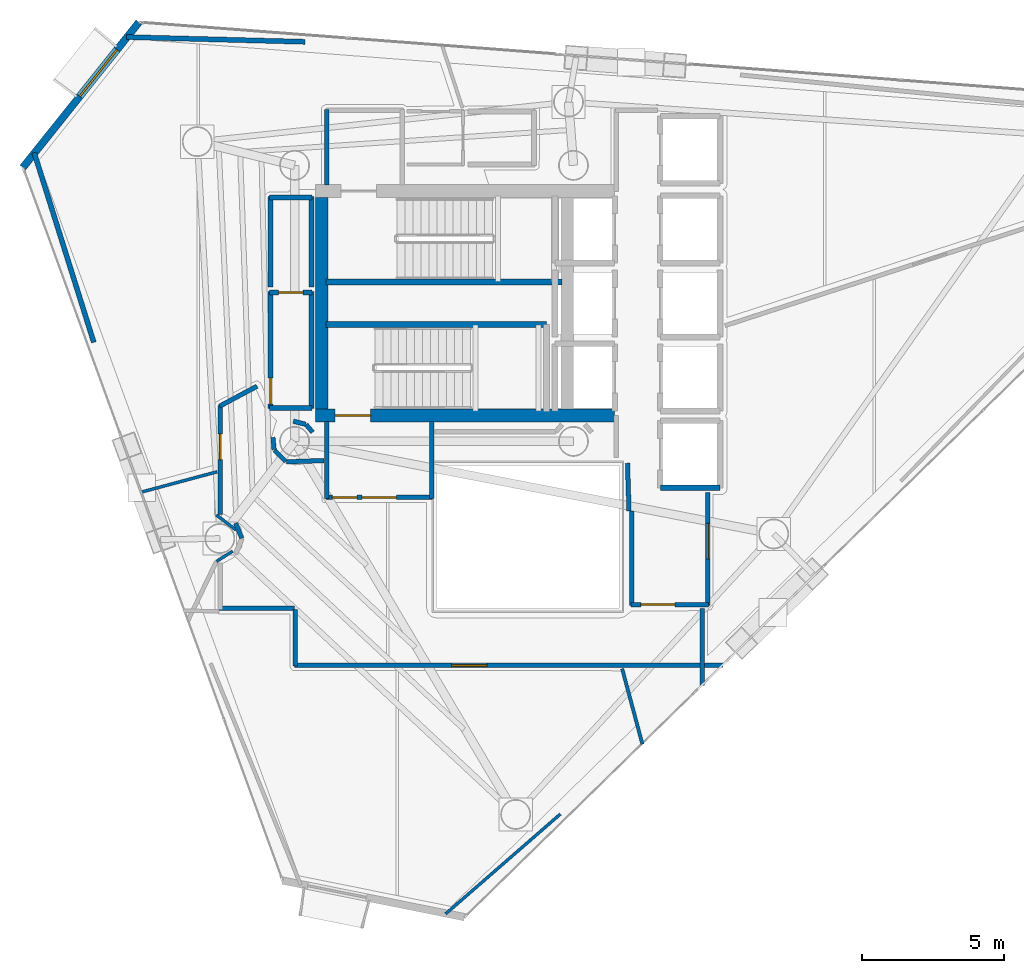
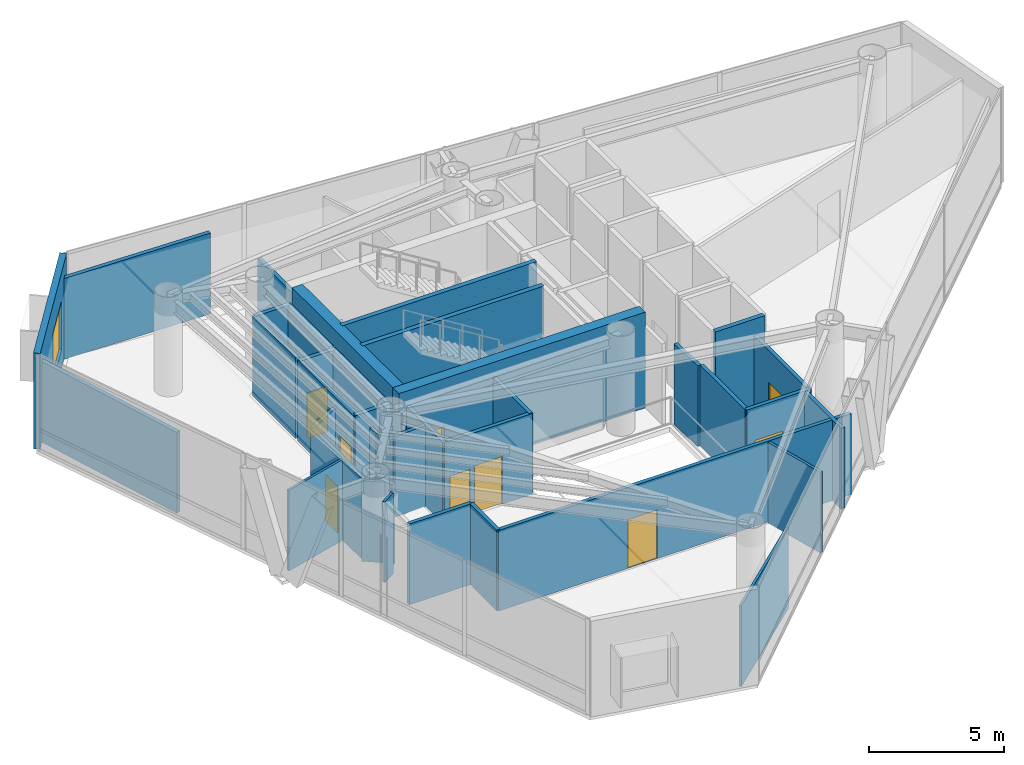
# One storey, part 17 of 21: 40 walls, 9 doors, 1 window, 10 openings.
"""IFC4 building model written with IfcOpenShell, lengths in metres."""

from ifc_helpers import new_model, si_unit, direction, frame, frame_2d, origin, place, context, subcontext, project, spatial, rectangle, extrude, material, layer, layer_set, type_object, element, fill, save


model = new_model("IFC4")

# Units and contexts
model_context = context("Model", 3, precision=1e-05, world=origin(), true_north=direction((0.0, 1.0)))
body_context = subcontext(model_context, "Body", "Model", "MODEL_VIEW")
ifc_project = project(units=[si_unit("LENGTHUNIT", "METRE"), si_unit("AREAUNIT", "SQUARE_METRE"), si_unit("VOLUMEUNIT", "CUBIC_METRE"), si_unit("PLANEANGLEUNIT", "RADIAN"), si_unit("MASSUNIT", "GRAM", prefix="KILO")], contexts=[model_context])

# Site, building, storey
site_placement = place(None, origin())
site = spatial("IfcSite", under=ifc_project, at=site_placement, CompositionType="ELEMENT")
building_placement = place(site_placement, origin())
building = spatial("IfcBuilding", under=site, at=building_placement, Name="Qianvela Tower", CompositionType="ELEMENT")
storey_placement = place(building_placement, frame((0.0, 0.0, 234.5)))
storey = spatial("IfcBuildingStorey", under=building, at=storey_placement, Name="L60", CompositionType="ELEMENT", Elevation=234.5)

# Wall, opening, window
ifc_material_1 = material(Name="Terracotta Cladding on Concrete C40", Category="masonry")
ifc_layer_1 = layer(ifc_material_1, 0.260009765625)
ifc_layer_set_1 = layer_set([ifc_layer_1], Name="Terracotta Cladding on Concrete C40")
wall_type_1 = type_object("IfcWallType", Name="TERRACOTTA-WALL-260", PredefinedType="SOLIDWALL", material=ifc_layer_set_1)
wall_1_placement = place(storey_placement, frame((23.12744140625, 38.576416015625, 0.0), z_axis=(0.0, 0.0, 1.0), x_axis=(-0.624042741738, -0.781390207568, 0.0)))
wall_1 = element("IfcWall", 1, at=wall_1_placement, inside=storey, type_object=wall_type_1, Name="L60 Terracotta Chamfer Facet Wall 3", PredefinedType="SOLIDWALL", context=body_context, shape_type="SweptSolid", body=[
    extrude(rectangle(XDim=6.529052734375, YDim=0.260009765625, at=frame_2d((3.2646484375, 0.0))), origin(), (0.0, 0.0, 1.0), 4.320068359375),
])
opening_1_placement = place(wall_1_placement, frame((1.228759765625, 0.0, 0.85009765625)))
opening_1 = element("IfcOpeningElement", 2, at=opening_1_placement, cuts=wall_1, Name="Opening W-04", PredefinedType="OPENING", context=body_context, shape_type="SweptSolid", body=[
    extrude(rectangle(XDim=2.10009765625, YDim=2.199951171875, at=frame_2d((1.050048828125, 1.10009765625))), frame((0.0, 0.139892578125, 0.0), z_axis=(0.0, -1.0, 0.0), x_axis=(1.0, 0.0, 0.0)), (0.0, 0.0, 1.0), 0.280029296875),
])
ifc_material_2 = material(Name="Thermally Broken Aluminium and Low-E Glass", Category="aluminium")
window_type = type_object("IfcWindowType", Name="WIN-TC-2100x2200", PartitioningType="TRIPLE_PANEL_VERTICAL", PredefinedType="WINDOW", material=ifc_material_2)
window_placement = place(opening_1_placement, origin())
window = element("IfcWindow", 3, at=window_placement, inside=storey, type_object=window_type, Name="L60 Chamfer Facet Window 3.1", OverallHeight=2.199951171875, OverallWidth=2.10009765625, PartitioningType="SINGLE_PANEL", PredefinedType="WINDOW", context=body_context, shape_type="SweptSolid", body=[
    extrude(rectangle(XDim=2.10009765625, YDim=2.199951171875, at=frame_2d((1.050048828125, 1.10009765625))), frame((0.0, 0.030029296875, 0.0), z_axis=(0.0, -1.0, 0.0), x_axis=(1.0, 0.0, 0.0)), (0.0, 0.0, 1.0), 0.06005859375),
])
fill(opening_1, window)

# Wall, opening, door
ifc_material_3 = material(Name="Concrete C50", Category="concrete")
ifc_layer_2 = layer(ifc_material_3, 0.449951171875)
ifc_layer_set_2 = layer_set([ifc_layer_2], Name="Concrete C50")
wall_type_2 = type_object("IfcWallType", Name="WT-CORE-450", PredefinedType="SHEAR", material=ifc_layer_set_2)
wall_2_placement = place(storey_placement, frame((29.330078125, 24.7548828125, 0.0), z_axis=(0.0, 0.0, 1.0), x_axis=(1.0, 0.0, 0.0)))
wall_2 = element("IfcWall", 4, at=wall_2_placement, inside=storey, type_object=wall_type_2, Name="L60 South Core Shear Wall", PredefinedType="SHEAR", context=body_context, shape_type="SweptSolid", body=[
    extrude(rectangle(XDim=10.52001953125, YDim=0.449951171875, at=frame_2d((5.260009765625, 0.0))), origin(), (0.0, 0.0, 1.0), 4.320068359375),
])
opening_2_placement = place(wall_2_placement, frame((0.695068359375, 0.0, 0.0)))
opening_2 = element("IfcOpeningElement", 5, at=opening_2_placement, cuts=wall_2, Name="Opening D-ST1", PredefinedType="OPENING", context=body_context, shape_type="SweptSolid", body=[
    extrude(rectangle(XDim=1.25, YDim=2.14990234375, at=frame_2d((0.625, 1.074951171875))), frame((0.0, 0.23486328125, 0.0), z_axis=(0.0, -1.0, 0.0), x_axis=(1.0, 0.0, 0.0)), (0.0, 0.0, 1.0), 0.469970703125),
])
ifc_material_4 = material(Name="Galvanised Fire Steel Q355B", Category="steel")
door_type_1 = type_object("IfcDoorType", Name="DT-STAIR-FD90", OperationType="NOTDEFINED", PredefinedType="DOOR", material=ifc_material_4)
door_1_placement = place(opening_2_placement, origin())
door_1 = element("IfcDoor", 6, at=door_1_placement, inside=storey, type_object=door_type_1, Name="L60 Stair ST-2 Exit Door", OperationType="SINGLE_SWING_RIGHT", OverallHeight=2.14990234375, OverallWidth=1.25, PredefinedType="DOOR", context=body_context, shape_type="SweptSolid", body=[
    extrude(rectangle(XDim=1.25, YDim=2.14990234375, at=frame_2d((0.625, 1.074951171875))), frame((0.0, 0.02490234375, 0.0), z_axis=(0.0, -1.0, 0.0), x_axis=(1.0, 0.0, 0.0)), (0.0, 0.0, 1.0), 0.050048828125),
])
fill(opening_2, door_1)

# Walls
wall_3_placement = place(storey_placement, frame((29.554931640625, 24.97998046875, 0.0), z_axis=(0.0, 0.0, 1.0), x_axis=(0.0, 1.0, 0.0)))
element("IfcWall", 7, at=wall_3_placement, inside=storey, type_object=wall_type_2, Name="L60 West Core Shear Wall", PredefinedType="SHEAR", context=body_context, shape_type="SweptSolid", body=[
    extrude(rectangle(XDim=7.43994140625, YDim=0.449951171875, at=frame_2d((3.719970703125, 0.0))), origin(), (0.0, 0.0, 1.0), 4.320068359375),
])
ifc_material_5 = material(Name="Fire-Rated Gypsum and Concrete Block", Category="concrete")
ifc_layer_3 = layer(ifc_material_5, 0.159912109375)
ifc_layer_set_3 = layer_set([ifc_layer_3], Name="Fire-Rated Gypsum and Concrete Block")
wall_type_3 = type_object("IfcWallType", Name="WT-CORR-160", PredefinedType="PARTITIONING", material=ifc_layer_set_3)
wall_4_placement = place(storey_placement, frame((29.73095703125, 32.85791015625, 0.0), z_axis=(0.0, 0.0, 1.0), x_axis=(0.0, 1.0, 0.0)))
element("IfcWall", 8, at=wall_4_placement, inside=storey, type_object=wall_type_3, Name="L60 Partition 2", PredefinedType="PARTITIONING", context=body_context, shape_type="SweptSolid", body=[
    extrude(rectangle(XDim=2.662109375, YDim=0.159912109375, at=frame_2d((1.3310546875, 0.0))), origin(), (0.0, 0.0, 1.0), 3.639892578125),
])

# Wall, openings, doors
wall_5_placement = place(storey_placement, frame((33.449951171875, 21.881103515625, 0.0), z_axis=(0.0, 0.0, 1.0), x_axis=(-1.0, 0.0, 0.0)))
wall_5 = element("IfcWall", 9, at=wall_5_placement, inside=storey, type_object=wall_type_3, Name="L60 Partition 5", PredefinedType="PARTITIONING", context=body_context, shape_type="SweptSolid", body=[
    extrude(rectangle(XDim=3.75, YDim=0.159912109375, at=frame_2d((1.875, 0.0))), origin(), (0.0, 0.0, 1.0), 3.639892578125),
])
opening_3_placement = place(wall_5_placement, frame((1.27490234375, 0.0, 0.0)))
opening_3 = element("IfcOpeningElement", 10, at=opening_3_placement, cuts=wall_5, Name="Opening D-LB1", PredefinedType="OPENING", context=body_context, shape_type="SweptSolid", body=[
    extrude(rectangle(XDim=1.199951171875, YDim=2.14990234375, at=frame_2d((0.60009765625, 1.074951171875))), frame((0.0, 0.08984375, 0.0), z_axis=(0.0, -1.0, 0.0), x_axis=(1.0, 0.0, 0.0)), (0.0, 0.0, 1.0), 0.179931640625),
])
opening_4_placement = place(wall_5_placement, frame((2.659912109375, 0.0, 0.0)))
opening_4 = element("IfcOpeningElement", 11, at=opening_4_placement, cuts=wall_5, Name="Opening D-LB2", PredefinedType="OPENING", context=body_context, shape_type="SweptSolid", body=[
    extrude(rectangle(XDim=0.860107421875, YDim=2.050048828125, at=frame_2d((0.43017578125, 1.02490234375))), frame((0.0, 0.08984375, 0.0), z_axis=(0.0, -1.0, 0.0), x_axis=(1.0, 0.0, 0.0)), (0.0, 0.0, 1.0), 0.179931640625),
])
ifc_material_6 = material(Name="Glazed Fire-Rated Steel Frame", Category="steel")
door_type_2 = type_object("IfcDoorType", Name="DT-LOBBY-FD90", OperationType="NOTDEFINED", PredefinedType="DOOR", material=ifc_material_6)
door_2_placement = place(opening_3_placement, origin())
door_2 = element("IfcDoor", 12, at=door_2_placement, inside=storey, type_object=door_type_2, Name="L60 Door L60 Firefighting Lobby South to L60 Sky Lobby Gallery Corridor", OperationType="SINGLE_SWING_RIGHT", OverallHeight=2.14990234375, OverallWidth=1.199951171875, PredefinedType="DOOR", context=body_context, shape_type="SweptSolid", body=[
    extrude(rectangle(XDim=1.199951171875, YDim=2.14990234375, at=frame_2d((0.60009765625, 1.074951171875))), frame((0.0, 0.02490234375, 0.0), z_axis=(0.0, -1.0, 0.0), x_axis=(1.0, 0.0, 0.0)), (0.0, 0.0, 1.0), 0.050048828125),
])
fill(opening_3, door_2)
ifc_material_7 = material(Name="Insulated Steel Fire Door Q355B", Category="steel")
door_type_3 = type_object("IfcDoorType", Name="DT-LOBBY-FD90-860", OperationType="NOTDEFINED", PredefinedType="DOOR", material=ifc_material_7)
door_3_placement = place(opening_4_placement, origin())
door_3 = element("IfcDoor", 13, at=door_3_placement, inside=storey, type_object=door_type_3, Name="L60 Door L60 Firefighting Lobby South to L60 Sky Lobby Gallery Corridor", OperationType="SINGLE_SWING_RIGHT", OverallHeight=2.050048828125, OverallWidth=0.860107421875, PredefinedType="DOOR", context=body_context, shape_type="SweptSolid", body=[
    extrude(rectangle(XDim=0.860107421875, YDim=2.050048828125, at=frame_2d((0.43017578125, 1.02490234375))), frame((0.0, 0.02490234375, 0.0), z_axis=(0.0, -1.0, 0.0), x_axis=(1.0, 0.0, 0.0)), (0.0, 0.0, 1.0), 0.050048828125),
])
fill(opening_4, door_3)

# Walls
for number, where, z_axis, x_axis, name in (
    (14, (29.73095703125, 21.85009765625, 0.0), (0.0, 0.0, 1.0), (0.0, 1.0, 0.0), "L60 Partition 6"),
    (15, (33.4189453125, 24.5419921875, 0.0), (0.0, 0.0, 1.0), (0.0, -1.0, 0.0), "L60 Partition 8"),
):
    element("IfcWall", number, at=place(storey_placement, frame(where, z_axis=z_axis, x_axis=x_axis)), inside=storey, type_object=wall_type_3, Name=name, PredefinedType="PARTITIONING", context=body_context, shape_type="SweptSolid", body=[
        extrude(rectangle(XDim=2.69189453125, YDim=0.159912109375, at=frame_2d((1.345947265625, 0.0))), origin(), (0.0, 0.0, 1.0), 3.639892578125),
    ])
wall_6_placement = place(storey_placement, frame((40.35107421875, 21.40087890625, 0.0), z_axis=(0.0, 0.0, 1.0), x_axis=(-0.031058045979, 0.999517582527, 0.0)))
element("IfcWall", 16, at=wall_6_placement, inside=storey, type_object=wall_type_3, Name="L60 Partition 9", PredefinedType="PARTITIONING", context=body_context, shape_type="SweptSolid", body=[
    extrude(rectangle(XDim=1.68212890625, YDim=0.159912109375, at=frame_2d((0.841064453125, 0.0))), origin(), (0.0, 0.0, 1.0), 3.639892578125),
])

# Wall, opening, door
wall_7_placement = place(storey_placement, frame((43.118896484375, 22.050048828125, 0.0), z_axis=(0.0, 0.0, 1.0), x_axis=(0.0, -1.0, 0.0)))
wall_7 = element("IfcWall", 17, at=wall_7_placement, inside=storey, type_object=wall_type_3, Name="L60 Partition 16", PredefinedType="PARTITIONING", context=body_context, shape_type="SweptSolid", body=[
    extrude(rectangle(XDim=3.969970703125, YDim=0.159912109375, at=frame_2d((1.98486328125, 0.0))), origin(), (0.0, 0.0, 1.0), 3.639892578125),
])
opening_5_placement = place(wall_7_placement, frame((1.080078125, 0.0, 0.0)))
opening_5 = element("IfcOpeningElement", 18, at=opening_5_placement, cuts=wall_7, Name="Opening D-LG1", PredefinedType="OPENING", context=body_context, shape_type="SweptSolid", body=[
    extrude(rectangle(XDim=1.25, YDim=2.199951171875, at=frame_2d((0.625, 1.10009765625))), frame((0.0, 0.08984375, 0.0), z_axis=(0.0, -1.0, 0.0), x_axis=(1.0, 0.0, 0.0)), (0.0, 0.0, 1.0), 0.179931640625),
])
ifc_material_8 = material(Name="Anodised Aluminium Acoustic Glass Door", Category="aluminium")
door_type_4 = type_object("IfcDoorType", Name="DT-LOUNGE-1250", OperationType="NOTDEFINED", PredefinedType="DOOR", material=ifc_material_8)
door_4_placement = place(opening_5_placement, origin())
door_4 = element("IfcDoor", 19, at=door_4_placement, inside=storey, type_object=door_type_4, Name="L60 Door L60 Sky Transfer Reception to L60 Lift Lobby", OperationType="SINGLE_SWING_RIGHT", OverallHeight=2.199951171875, OverallWidth=1.25, PredefinedType="DOOR", context=body_context, shape_type="SweptSolid", body=[
    extrude(rectangle(XDim=1.25, YDim=2.199951171875, at=frame_2d((0.625, 1.10009765625))), frame((0.0, 0.02490234375, 0.0), z_axis=(0.0, -1.0, 0.0), x_axis=(1.0, 0.0, 0.0)), (0.0, 0.0, 1.0), 0.050048828125),
])
fill(opening_5, door_4)

wall_8_placement = place(storey_placement, frame((43.14990234375, 18.111083984375, 0.0), z_axis=(0.0, 0.0, 1.0), x_axis=(-1.0, 0.0, 0.0)))
wall_8 = element("IfcWall", 20, at=wall_8_placement, inside=storey, type_object=wall_type_3, Name="L60 Partition 17", PredefinedType="PARTITIONING", context=body_context, shape_type="SweptSolid", body=[
    extrude(rectangle(XDim=2.72998046875, YDim=0.159912109375, at=frame_2d((1.364990234375, 0.0))), origin(), (0.0, 0.0, 1.0), 3.639892578125),
])
opening_6_placement = place(wall_8_placement, frame((1.18505859375, 0.0, 0.0)))
opening_6 = element("IfcOpeningElement", 21, at=opening_6_placement, cuts=wall_8, Name="Opening D-LB1", PredefinedType="OPENING", context=body_context, shape_type="SweptSolid", body=[
    extrude(rectangle(XDim=1.199951171875, YDim=2.14990234375, at=frame_2d((0.60009765625, 1.074951171875))), frame((0.0, 0.08984375, 0.0), z_axis=(0.0, -1.0, 0.0), x_axis=(1.0, 0.0, 0.0)), (0.0, 0.0, 1.0), 0.179931640625),
])
door_5_placement = place(opening_6_placement, origin())
door_5 = element("IfcDoor", 22, at=door_5_placement, inside=storey, type_object=door_type_2, Name="L60 Door L60 Lift Lobby to L60 Sky Lobby Gallery Corridor", OperationType="SINGLE_SWING_LEFT", OverallHeight=2.14990234375, OverallWidth=1.199951171875, PredefinedType="DOOR", context=body_context, shape_type="SweptSolid", body=[
    extrude(rectangle(XDim=1.199951171875, YDim=2.14990234375, at=frame_2d((0.60009765625, 1.074951171875))), frame((0.0, 0.02490234375, 0.0), z_axis=(0.0, -1.0, 0.0), x_axis=(1.0, 0.0, 0.0)), (0.0, 0.0, 1.0), 0.050048828125),
])
fill(opening_6, door_5)

# Walls
wall_9_placement = place(storey_placement, frame((40.450927734375, 18.080078125, 0.0), z_axis=(0.0, 0.0, 1.0), x_axis=(0.0, 1.0, 0.0)))
element("IfcWall", 23, at=wall_9_placement, inside=storey, type_object=wall_type_3, Name="L60 Partition 18 seg 1", PredefinedType="PARTITIONING", context=body_context, shape_type="SweptSolid", body=[
    extrude(rectangle(XDim=3.31982421875, YDim=0.159912109375, at=frame_2d((1.659912109375, 0.0))), origin(), (0.0, 0.0, 1.0), 3.639892578125),
])
wall_10_placement = place(storey_placement, frame((29.236083984375, 24.170166015625, 0.0), z_axis=(0.0, 0.0, 1.0), x_axis=(-0.652260263346, 0.757995084984, 0.0)))
element("IfcWall", 24, at=wall_10_placement, inside=storey, type_object=wall_type_3, Name="L60 Partition 39", PredefinedType="PARTITIONING", context=body_context, shape_type="SweptSolid", body=[
    extrude(rectangle(XDim=0.35546875, YDim=0.159912109375, at=frame_2d((0.177734375, 0.0))), origin(), (0.0, 0.0, 1.0), 3.639892578125),
])
wall_11_placement = place(storey_placement, frame((28.98828125, 24.44970703125, 0.0), z_axis=(0.0, 0.0, 1.0), x_axis=(-0.968704505916, 0.248216800836, 0.0)))
element("IfcWall", 25, at=wall_11_placement, inside=storey, type_object=wall_type_3, Name="L60 Partition 40", PredefinedType="PARTITIONING", context=body_context, shape_type="SweptSolid", body=[
    extrude(rectangle(XDim=0.444580078125, YDim=0.159912109375, at=frame_2d((0.22216796875, 0.0))), origin(), (0.0, 0.0, 1.0), 3.639892578125),
])
wall_12_placement = place(storey_placement, frame((27.83837890625, 23.9921875, 0.0), z_axis=(0.0, 0.0, 1.0), x_axis=(0.098273407977, -0.995159453196, 0.0)))
element("IfcWall", 26, at=wall_12_placement, inside=storey, type_object=wall_type_3, Name="L60 Partition 54", PredefinedType="PARTITIONING", context=body_context, shape_type="SweptSolid", body=[
    extrude(rectangle(XDim=0.432373046875, YDim=0.159912109375, at=frame_2d((0.21630859375, 0.0))), origin(), (0.0, 0.0, 1.0), 3.639892578125),
])
wall_13_placement = place(storey_placement, frame((27.889892578125, 23.54296875, 0.0), z_axis=(0.0, 0.0, 1.0), x_axis=(0.707106781187, -0.707106781187, 0.0)))
element("IfcWall", 27, at=wall_13_placement, inside=storey, type_object=wall_type_3, Name="L60 Partition 55", PredefinedType="PARTITIONING", context=body_context, shape_type="SweptSolid", body=[
    extrude(rectangle(XDim=0.570068359375, YDim=0.159912109375, at=frame_2d((0.28515625, 0.0))), origin(), (0.0, 0.0, 1.0), 3.639892578125),
])
wall_14_placement = place(storey_placement, frame((28.31591796875, 23.130615234375, 0.0), z_axis=(0.0, 0.0, 1.0), x_axis=(0.999405342193, 0.034481328227, 0.0)))
element("IfcWall", 28, at=wall_14_placement, inside=storey, type_object=wall_type_3, Name="L60 Partition 56", PredefinedType="PARTITIONING", context=body_context, shape_type="SweptSolid", body=[
    extrude(rectangle(XDim=1.323974609375, YDim=0.159912109375, at=frame_2d((0.662109375, 0.0))), origin(), (0.0, 0.0, 1.0), 3.639892578125),
])
wall_15_placement = place(storey_placement, frame((42.9189453125, 17.97998046875, 0.0), z_axis=(0.0, 0.0, 1.0), x_axis=(0.0, -1.0, 0.0)))
element("IfcWall", 29, at=wall_15_placement, inside=storey, type_object=wall_type_3, Name="L60 Partition 60", PredefinedType="PARTITIONING", context=body_context, shape_type="SweptSolid", body=[
    extrude(rectangle(XDim=2.713623046875, YDim=0.159912109375, at=frame_2d((1.35693359375, 0.0))), origin(), (0.0, 0.0, 1.0), 3.639892578125),
])

# Wall, opening, door
wall_16_placement = place(storey_placement, frame((43.649658203125, 15.98095703125, 0.0), z_axis=(0.0, 0.0, 1.0), x_axis=(-1.0, 0.0, 0.0)))
wall_16 = element("IfcWall", 30, at=wall_16_placement, inside=storey, type_object=wall_type_3, Name="L60 Partition 61", PredefinedType="PARTITIONING", context=body_context, shape_type="SweptSolid", body=[
    extrude(rectangle(XDim=15.049560546875, YDim=0.159912109375, at=frame_2d((7.52490234375, 0.0))), origin(), (0.0, 0.0, 1.0), 3.639892578125),
])
opening_7_placement = place(wall_16_placement, frame((8.2802734375, 0.0, 0.0)))
opening_7 = element("IfcOpeningElement", 31, at=opening_7_placement, cuts=wall_16, Name="Opening D-LG1", PredefinedType="OPENING", context=body_context, shape_type="SweptSolid", body=[
    extrude(rectangle(XDim=1.25, YDim=2.199951171875, at=frame_2d((0.625, 1.10009765625))), frame((0.0, 0.08984375, 0.0), z_axis=(0.0, -1.0, 0.0), x_axis=(1.0, 0.0, 0.0)), (0.0, 0.0, 1.0), 0.179931640625),
])
door_6_placement = place(opening_7_placement, origin())
door_6 = element("IfcDoor", 32, at=door_6_placement, inside=storey, type_object=door_type_4, Name="L60 Door L60 Panoramic Sky Lounge to L60 Sky Lobby Gallery Corridor", OperationType="SINGLE_SWING_LEFT", OverallHeight=2.199951171875, OverallWidth=1.25, PredefinedType="DOOR", context=body_context, shape_type="SweptSolid", body=[
    extrude(rectangle(XDim=1.25, YDim=2.199951171875, at=frame_2d((0.625, 1.10009765625))), frame((0.0, 0.02490234375, 0.0), z_axis=(0.0, -1.0, 0.0), x_axis=(1.0, 0.0, 0.0)), (0.0, 0.0, 1.0), 0.050048828125),
])
fill(opening_7, door_6)

# Walls
wall_17_placement = place(storey_placement, frame((28.631103515625, 15.949951171875, 0.0), z_axis=(0.0, 0.0, 1.0), x_axis=(0.0, 1.0, 0.0)))
element("IfcWall", 33, at=wall_17_placement, inside=storey, type_object=wall_type_3, Name="L60 Partition 62", PredefinedType="PARTITIONING", context=body_context, shape_type="SweptSolid", body=[
    extrude(rectangle(XDim=2.0, YDim=0.159912109375, at=frame_2d((1.0, 0.0))), origin(), (0.0, 0.0, 1.0), 3.639892578125),
])
wall_18_placement = place(storey_placement, frame((28.60009765625, 17.98095703125, 0.0), z_axis=(0.0, 0.0, 1.0), x_axis=(-1.0, 0.0, 0.0)))
element("IfcWall", 34, at=wall_18_placement, inside=storey, type_object=wall_type_3, Name="L60 Partition 63", PredefinedType="PARTITIONING", context=body_context, shape_type="SweptSolid", body=[
    extrude(rectangle(XDim=2.650146484375, YDim=0.159912109375, at=frame_2d((1.3251953125, 0.0))), origin(), (0.0, 0.0, 1.0), 3.639892578125),
])
wall_19_placement = place(storey_placement, frame((26.74560546875, 20.448974609375, 0.0), z_axis=(0.0, 0.0, 1.0), x_axis=(-0.382881317414, 0.923797541009, 0.0)))
element("IfcWall", 35, at=wall_19_placement, inside=storey, type_object=wall_type_3, Name="L60 Partition 66", PredefinedType="PARTITIONING", context=body_context, shape_type="SweptSolid", body=[
    extrude(rectangle(XDim=0.570068359375, YDim=0.159912109375, at=frame_2d((0.28515625, 0.0))), origin(), (0.0, 0.0, 1.0), 3.639892578125),
])

# Wall, opening, door
wall_20_placement = place(storey_placement, frame((25.98095703125, 21.289306640625, 0.0), z_axis=(0.0, 0.0, 1.0), x_axis=(0.0, 1.0, 0.0)))
wall_20 = element("IfcWall", 36, at=wall_20_placement, inside=storey, type_object=wall_type_3, Name="L60 Partition 67", PredefinedType="PARTITIONING", context=body_context, shape_type="SweptSolid", body=[
    extrude(rectangle(XDim=3.82421875, YDim=0.159912109375, at=frame_2d((1.912109375, 0.0))), origin(), (0.0, 0.0, 1.0), 3.639892578125),
])
opening_8_placement = place(wall_20_placement, frame((1.922119140625, 0.0, 0.0)))
opening_8 = element("IfcOpeningElement", 37, at=opening_8_placement, cuts=wall_20, Name="Opening D-KT1", PredefinedType="OPENING", context=body_context, shape_type="SweptSolid", body=[
    extrude(rectangle(XDim=0.89990234375, YDim=2.10009765625, at=frame_2d((0.449951171875, 1.050048828125))), frame((0.0, 0.08984375, 0.0), z_axis=(0.0, -1.0, 0.0), x_axis=(1.0, 0.0, 0.0)), (0.0, 0.0, 1.0), 0.179931640625),
])
ifc_material_9 = material(Name="Glazed Timber Kitchen Door", Category="wood")
door_type_5 = type_object("IfcDoorType", Name="DT-KITCH-900", OperationType="NOTDEFINED", PredefinedType="DOOR", material=ifc_material_9)
door_7_placement = place(opening_8_placement, origin())
door_7 = element("IfcDoor", 38, at=door_7_placement, inside=storey, type_object=door_type_5, Name="L60 Door L60 Shared Sky Kitchen and Cafe to L60 Sky Lobby Gallery Corridor", OperationType="SINGLE_SWING_RIGHT", OverallHeight=2.10009765625, OverallWidth=0.89990234375, PredefinedType="DOOR", context=body_context, shape_type="SweptSolid", body=[
    extrude(rectangle(XDim=0.89990234375, YDim=2.10009765625, at=frame_2d((0.449951171875, 1.050048828125))), frame((0.0, 0.02490234375, 0.0), z_axis=(0.0, -1.0, 0.0), x_axis=(1.0, 0.0, 0.0)), (0.0, 0.0, 1.0), 0.050048828125),
])
fill(opening_8, door_7)

# Walls
wall_21_placement = place(storey_placement, frame((25.964599609375, 25.086181640625, 0.0), z_axis=(0.0, 0.0, 1.0), x_axis=(0.881881208279, 0.471471668803, 0.0)))
element("IfcWall", 39, at=wall_21_placement, inside=storey, type_object=wall_type_3, Name="L60 Partition 68", PredefinedType="PARTITIONING", context=body_context, shape_type="SweptSolid", body=[
    extrude(rectangle(XDim=1.491455078125, YDim=0.159912109375, at=frame_2d((0.74560546875, 0.0))), origin(), (0.0, 0.0, 1.0), 3.639892578125),
])
ifc_material_10 = material(Name="Lightweight Gypsum Room Partition")
ifc_layer_4 = layer(ifc_material_10, 0.10498046875)
ifc_layer_set_4 = layer_set([ifc_layer_4], Name="Lightweight Gypsum Room Partition")
wall_type_4 = type_object("IfcWallType", Name="WT-PART-105", PredefinedType="PARTITIONING", material=ifc_layer_set_4)
wall_22_placement = place(storey_placement, frame((25.851318359375, 21.264892578125, 0.0), z_axis=(0.0, 0.0, 1.0), x_axis=(0.793898208532, -0.608050684145, 0.0)))
element("IfcWall", 40, at=wall_22_placement, inside=storey, type_object=wall_type_4, Name="L60 Partition 70", PredefinedType="PARTITIONING", context=body_context, shape_type="SweptSolid", body=[
    extrude(rectangle(XDim=0.875, YDim=0.10498046875, at=frame_2d((0.4375, 0.0))), origin(), (0.0, 0.0, 1.0), 3.639892578125),
])
wall_23_placement = place(storey_placement, frame((26.42236328125, 19.99072265625, 0.0), z_axis=(0.0, 0.0, 1.0), x_axis=(-0.84577514661, -0.533539503108, 0.0)))
element("IfcWall", 41, at=wall_23_placement, inside=storey, type_object=wall_type_4, Name="L60 Partition 73", PredefinedType="PARTITIONING", context=body_context, shape_type="SweptSolid", body=[
    extrude(rectangle(XDim=0.66845703125, YDim=0.10498046875, at=frame_2d((0.334228515625, 0.0))), origin(), (0.0, 0.0, 1.0), 3.639892578125),
])
wall_24_placement = place(storey_placement, frame((37.938720703125, 10.7529296875, 0.0), z_axis=(0.0, 0.0, 1.0), x_axis=(-0.754503242289, -0.656296318271, 0.0)))
element("IfcWall", 42, at=wall_24_placement, inside=storey, type_object=wall_type_4, Name="L60 Partition 79 seg 1", PredefinedType="PARTITIONING", context=body_context, shape_type="SweptSolid", body=[
    extrude(rectangle(XDim=5.344970703125, YDim=0.10498046875, at=frame_2d((2.67236328125, 0.0))), origin(), (0.0, 0.0, 1.0), 3.639892578125),
])
wall_25_placement = place(storey_placement, frame((23.186279296875, 22.06005859375, 0.0), z_axis=(0.0, 0.0, 1.0), x_axis=(0.965928889301, 0.258807613514, 0.0)))
element("IfcWall", 43, at=wall_25_placement, inside=storey, type_object=wall_type_4, Name="L60 Partition 82", PredefinedType="PARTITIONING", context=body_context, shape_type="SweptSolid", body=[
    extrude(rectangle(XDim=2.78662109375, YDim=0.10498046875, at=frame_2d((1.393310546875, 0.0))), origin(), (0.0, 0.0, 1.0), 3.639892578125),
])
ifc_material_11 = material(Name="Insulated Gypsum Stud Partition")
ifc_layer_5 = layer(ifc_material_11, 0.1201171875)
ifc_layer_set_5 = layer_set([ifc_layer_5], Name="Insulated Gypsum Stud Partition")
wall_type_5 = type_object("IfcWallType", Name="WT-PART-120", PredefinedType="PARTITIONING", material=ifc_layer_set_5)
wall_26_placement = place(storey_placement, frame((40.11181640625, 15.862060546875, 0.0), z_axis=(0.0, 0.0, 1.0), x_axis=(0.258853210166, -0.96591667114, 0.0)))
element("IfcWall", 44, at=wall_26_placement, inside=storey, type_object=wall_type_5, Name="L60 Partition 78", PredefinedType="PARTITIONING", context=body_context, shape_type="SweptSolid", body=[
    extrude(rectangle(XDim=2.74365234375, YDim=0.1201171875, at=frame_2d((1.371826171875, 0.0))), origin(), (0.0, 0.0, 1.0), 3.639892578125),
])

# Wall, opening, door
ifc_material_12 = material(Name="Moisture-Resistant Acoustic Plumbing Wall")
ifc_layer_6 = layer(ifc_material_12, 0.175048828125)
ifc_layer_set_6 = layer_set([ifc_layer_6], Name="Moisture-Resistant Acoustic Plumbing Wall")
wall_type_6 = type_object("IfcWallType", Name="WT-PLUMB-175", PredefinedType="PLUMBINGWALL", material=ifc_layer_set_6)
wall_27_placement = place(storey_placement, frame((27.7509765625, 25.0, 0.0), z_axis=(0.0, 0.0, 1.0), x_axis=(0.0, 1.0, 0.0)))
wall_27 = element("IfcWall", 45, at=wall_27_placement, inside=storey, type_object=wall_type_6, Name="L60 Partition 27", PredefinedType="PLUMBINGWALL", context=body_context, shape_type="SweptSolid", body=[
    extrude(rectangle(XDim=4.1201171875, YDim=0.175048828125, at=frame_2d((2.06005859375, 0.0))), origin(), (0.0, 0.0, 1.0), 3.639892578125),
])
opening_9_placement = place(wall_27_placement, frame((0.1708984375, 0.0, 0.0)))
opening_9 = element("IfcOpeningElement", 46, at=opening_9_placement, cuts=wall_27, Name="Opening D-KT1", PredefinedType="OPENING", context=body_context, shape_type="SweptSolid", body=[
    extrude(rectangle(XDim=0.89990234375, YDim=2.10009765625, at=frame_2d((0.449951171875, 1.050048828125))), frame((0.0, 0.097412109375, 0.0), z_axis=(0.0, -1.0, 0.0), x_axis=(1.0, 0.0, 0.0)), (0.0, 0.0, 1.0), 0.195068359375),
])
door_8_placement = place(opening_9_placement, origin())
door_8 = element("IfcDoor", 47, at=door_8_placement, inside=storey, type_object=door_type_5, Name="L60 Door L60 Core Tea Pantry West to L60 Sky Lobby Gallery Corridor", OperationType="SINGLE_SWING_RIGHT", OverallHeight=2.10009765625, OverallWidth=0.89990234375, PredefinedType="DOOR", context=body_context, shape_type="SweptSolid", body=[
    extrude(rectangle(XDim=0.89990234375, YDim=2.10009765625, at=frame_2d((0.449951171875, 1.050048828125))), frame((0.0, 0.02490234375, 0.0), z_axis=(0.0, -1.0, 0.0), x_axis=(1.0, 0.0, 0.0)), (0.0, 0.0, 1.0), 0.050048828125),
])
fill(opening_9, door_8)

wall_28_placement = place(storey_placement, frame((27.719970703125, 29.089111328125, 0.0), z_axis=(0.0, 0.0, 1.0), x_axis=(1.0, 0.0, 0.0)))
wall_28 = element("IfcWall", 48, at=wall_28_placement, inside=storey, type_object=wall_type_6, Name="L60 Partition 28", PredefinedType="PLUMBINGWALL", context=body_context, shape_type="SweptSolid", body=[
    extrude(rectangle(XDim=1.5, YDim=0.175048828125, at=frame_2d((0.75, 0.0))), origin(), (0.0, 0.0, 1.0), 3.639892578125),
])
opening_10_placement = place(wall_28_placement, frame((0.320068359375, 0.0, 0.0)))
opening_10 = element("IfcOpeningElement", 49, at=opening_10_placement, cuts=wall_28, Name="Opening D-WC1", PredefinedType="OPENING", context=body_context, shape_type="SweptSolid", body=[
    extrude(rectangle(XDim=0.860107421875, YDim=2.050048828125, at=frame_2d((0.43017578125, 1.02490234375))), frame((0.0, 0.097412109375, 0.0), z_axis=(0.0, -1.0, 0.0), x_axis=(1.0, 0.0, 0.0)), (0.0, 0.0, 1.0), 0.195068359375),
])
ifc_material_13 = material(Name="Moisture-Sealed Acoustic Timber Door", Category="wood")
door_type_6 = type_object("IfcDoorType", Name="DT-WC-860", OperationType="NOTDEFINED", PredefinedType="DOOR", material=ifc_material_13)
door_9_placement = place(opening_10_placement, origin())
door_9 = element("IfcDoor", 50, at=door_9_placement, inside=storey, type_object=door_type_6, Name="L60 Door L60 Accessible WC to L60 Core Tea Pantry West", OperationType="SINGLE_SWING_LEFT", OverallHeight=2.050048828125, OverallWidth=0.860107421875, PredefinedType="DOOR", context=body_context, shape_type="SweptSolid", body=[
    extrude(rectangle(XDim=0.860107421875, YDim=2.050048828125, at=frame_2d((0.43017578125, 1.02490234375))), frame((0.0, 0.02490234375, 0.0), z_axis=(0.0, -1.0, 0.0), x_axis=(1.0, 0.0, 0.0)), (0.0, 0.0, 1.0), 0.050048828125),
])
fill(opening_10, door_9)

# Walls
wall_29_placement = place(storey_placement, frame((29.18896484375, 29.1201171875, 0.0), z_axis=(0.0, 0.0, 1.0), x_axis=(0.0, -1.0, 0.0)))
element("IfcWall", 51, at=wall_29_placement, inside=storey, type_object=wall_type_6, Name="L60 Partition 29", PredefinedType="PLUMBINGWALL", context=body_context, shape_type="SweptSolid", body=[
    extrude(rectangle(XDim=4.1201171875, YDim=0.175048828125, at=frame_2d((2.06005859375, 0.0))), origin(), (0.0, 0.0, 1.0), 3.639892578125),
])
wall_30_placement = place(storey_placement, frame((29.219970703125, 25.031005859375, 0.0), z_axis=(0.0, 0.0, 1.0), x_axis=(-1.0, 0.0, 0.0)))
element("IfcWall", 52, at=wall_30_placement, inside=storey, type_object=wall_type_6, Name="L60 Partition 30", PredefinedType="PLUMBINGWALL", context=body_context, shape_type="SweptSolid", body=[
    extrude(rectangle(XDim=1.5, YDim=0.175048828125, at=frame_2d((0.75, 0.0))), origin(), (0.0, 0.0, 1.0), 3.639892578125),
])
wall_31_placement = place(storey_placement, frame((27.7509765625, 29.280029296875, 0.0), z_axis=(0.0, 0.0, 1.0), x_axis=(0.0, 1.0, 0.0)))
element("IfcWall", 53, at=wall_31_placement, inside=storey, type_object=wall_type_6, Name="L60 Partition 31", PredefinedType="PLUMBINGWALL", context=body_context, shape_type="SweptSolid", body=[
    extrude(rectangle(XDim=3.169921875, YDim=0.175048828125, at=frame_2d((1.5849609375, 0.0))), origin(), (0.0, 0.0, 1.0), 3.639892578125),
])
wall_32_placement = place(storey_placement, frame((27.719970703125, 32.4189453125, 0.0), z_axis=(0.0, 0.0, 1.0), x_axis=(1.0, 0.0, 0.0)))
element("IfcWall", 54, at=wall_32_placement, inside=storey, type_object=wall_type_6, Name="L60 Partition 32", PredefinedType="PLUMBINGWALL", context=body_context, shape_type="SweptSolid", body=[
    extrude(rectangle(XDim=1.5, YDim=0.175048828125, at=frame_2d((0.75, 0.0))), origin(), (0.0, 0.0, 1.0), 3.639892578125),
])
wall_33_placement = place(storey_placement, frame((29.18896484375, 32.449951171875, 0.0), z_axis=(0.0, 0.0, 1.0), x_axis=(0.0, -1.0, 0.0)))
element("IfcWall", 55, at=wall_33_placement, inside=storey, type_object=wall_type_6, Name="L60 Partition 33", PredefinedType="PLUMBINGWALL", context=body_context, shape_type="SweptSolid", body=[
    extrude(rectangle(XDim=3.169921875, YDim=0.175048828125, at=frame_2d((1.5849609375, 0.0))), origin(), (0.0, 0.0, 1.0), 3.639892578125),
])
wall_34_placement = place(storey_placement, frame((21.544921875, 27.32958984375, 0.0), z_axis=(0.0, 0.0, 1.0), x_axis=(-0.299855659901, 0.953984582279, 0.0)))
element("IfcWall", 56, at=wall_34_placement, inside=storey, type_object=wall_type_6, Name="L60 Partition 115 seg 2", PredefinedType="PLUMBINGWALL", context=body_context, shape_type="SweptSolid", body=[
    extrude(rectangle(XDim=6.98974609375, YDim=0.175048828125, at=frame_2d((3.494873046875, 0.0))), origin(), (0.0, 0.0, 1.0), 3.639892578125),
])
wall_35_placement = place(storey_placement, frame((22.69140625, 38.056884765625, 0.0), z_axis=(0.0, 0.0, 1.0), x_axis=(0.999651412304, -0.026401777936, 0.0)))
element("IfcWall", 57, at=wall_35_placement, inside=storey, type_object=wall_type_6, Name="L60 Partition 117 seg 1", PredefinedType="PLUMBINGWALL", context=body_context, shape_type="SweptSolid", body=[
    extrude(rectangle(XDim=6.27880859375, YDim=0.175048828125, at=frame_2d((3.139404296875, 0.0))), origin(), (0.0, 0.0, 1.0), 3.639892578125),
])
ifc_material_14 = material(Name="Concrete C50", Category="concrete")
ifc_layer_7 = layer(ifc_material_14, 0.199951171875)
ifc_layer_set_7 = layer_set([ifc_layer_7], Name="Concrete C50")
wall_type_7 = type_object("IfcWallType", Name="WT-SHAFT-200", PredefinedType="SOLIDWALL", material=ifc_layer_set_7)
wall_36_placement = place(storey_placement, frame((29.699951171875, 29.449951171875, 0.0), z_axis=(0.0, 0.0, 1.0), x_axis=(1.0, 0.0, 0.0)))
element("IfcWall", 58, at=wall_36_placement, inside=storey, type_object=wall_type_7, Name="L60 Stair ST-1 South Wall", PredefinedType="SOLIDWALL", context=body_context, shape_type="SweptSolid", body=[
    extrude(rectangle(XDim=8.300048828125, YDim=0.199951171875, at=frame_2d((4.14990234375, 0.0))), origin(), (0.0, 0.0, 1.0), 4.320068359375),
])
wall_37_placement = place(storey_placement, frame((29.699951171875, 27.9599609375, 0.0), z_axis=(0.0, 0.0, 1.0), x_axis=(1.0, 0.0, 0.0)))
element("IfcWall", 59, at=wall_37_placement, inside=storey, type_object=wall_type_7, Name="L60 Stair ST-2 North Wall", PredefinedType="SOLIDWALL", context=body_context, shape_type="SweptSolid", body=[
    extrude(rectangle(XDim=7.75, YDim=0.199951171875, at=frame_2d((3.875, 0.0))), origin(), (0.0, 0.0, 1.0), 4.320068359375),
])
wall_38_placement = place(storey_placement, frame((41.449951171875, 22.219970703125, 0.0), z_axis=(0.0, 0.0, 1.0), x_axis=(1.0, 0.0, 0.0)))
element("IfcWall", 60, at=wall_38_placement, inside=storey, type_object=wall_type_7, Name="L60 Lift PL-H2 S Shaft Wall", PredefinedType="SOLIDWALL", context=body_context, shape_type="SweptSolid", body=[
    extrude(rectangle(XDim=2.10009765625, YDim=0.199951171875, at=frame_2d((1.050048828125, 0.0))), origin(), (0.0, 0.0, 1.0), 4.320068359375),
])

save(model, "model.ifc")
